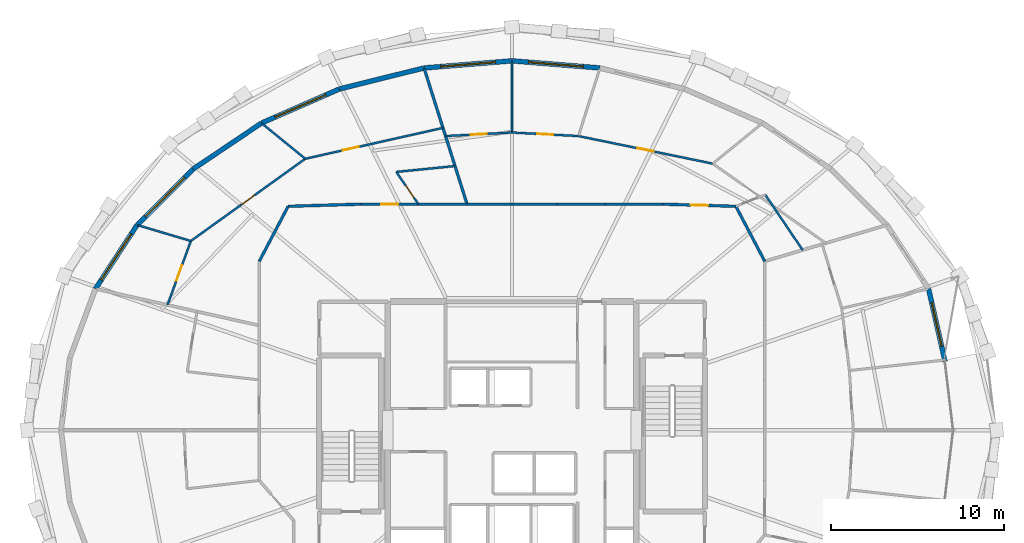
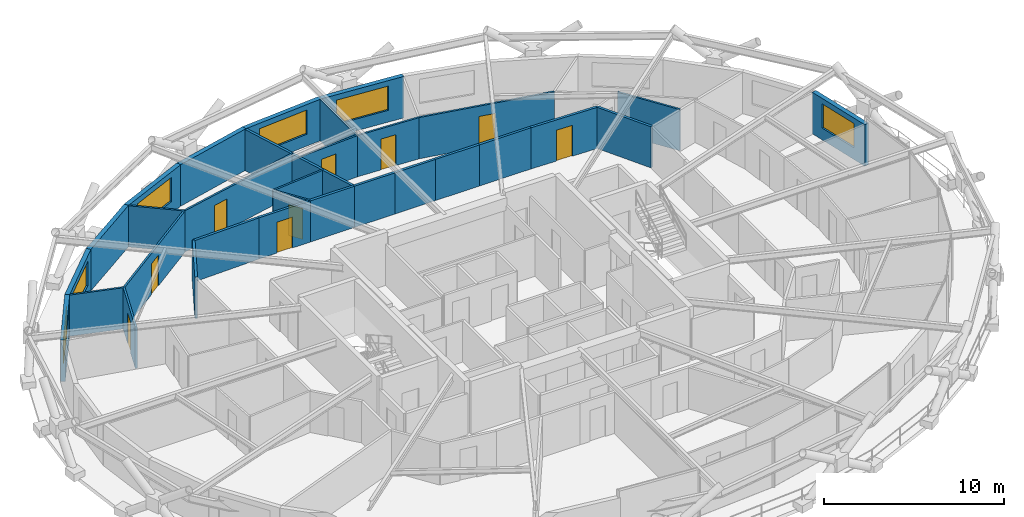
# One storey, part 17 of 19: 31 walls, 9 doors, 6 windows, 15 openings.
"""IFC4 building model written with IfcOpenShell, lengths in metres."""

from ifc_helpers import new_model, si_unit, direction, frame, frame_2d, origin, place, context, subcontext, project, spatial, rectangle, extrude, material, layer, layer_set, type_object, element, fill, save


model = new_model("IFC4")

# Units and contexts
model_context = context("Model", 3, precision=1e-05, world=origin(), true_north=direction((0.0, 1.0)))
body_context = subcontext(model_context, "Body", "Model", "MODEL_VIEW")
ifc_project = project(units=[si_unit("LENGTHUNIT", "METRE"), si_unit("AREAUNIT", "SQUARE_METRE"), si_unit("VOLUMEUNIT", "CUBIC_METRE"), si_unit("PLANEANGLEUNIT", "RADIAN"), si_unit("MASSUNIT", "GRAM", prefix="KILO")], contexts=[model_context])

# Site, building, storey
site_placement = place(None, origin())
site = spatial("IfcSite", under=ifc_project, at=site_placement, CompositionType="ELEMENT")
building_placement = place(site_placement, origin())
building = spatial("IfcBuilding", under=site, at=building_placement, Name="Veldorina Hangang Commons", CompositionType="ELEMENT")
storey_placement = place(building_placement, frame((0.0, 0.0, 167.60009765625)))
storey = spatial("IfcBuildingStorey", under=building, at=storey_placement, Name="L43", CompositionType="ELEMENT", Elevation=167.60009765625)

# Wall, opening, window
ifc_material_1 = material(Name="Stone Roman Travertine", Category="masonry")
ifc_layer_1 = layer(ifc_material_1, 0.280029296875)
ifc_layer_set_1 = layer_set([ifc_layer_1], Name="Stone Roman Travertine")
wall_type_1 = type_object("IfcWallType", Name="EW-TRAV-280", PredefinedType="STANDARD", material=ifc_layer_set_1)
wall_1_placement = place(storey_placement, frame((57.104248046875, 27.977294921875, 0.0), z_axis=(0.0, 0.0, 1.0), x_axis=(-0.221760260936, 0.975101218679, 0.0)))
wall_1 = element("IfcWall", 1, at=wall_1_placement, inside=storey, type_object=wall_type_1, Name="L43 travertine facade wall 01", PredefinedType="STANDARD", context=body_context, shape_type="SweptSolid", body=[
    extrude(rectangle(XDim=4.322265625, YDim=0.280029296875, at=frame_2d((2.1611328125, 0.0))), origin(), (0.0, 0.0, 1.0), 2.81982421875),
])
opening_1_placement = place(wall_1_placement, frame((0.9072265625, 0.0, 0.800048828125)))
opening_1 = element("IfcOpeningElement", 2, at=opening_1_placement, cuts=wall_1, Name="Opening W-02", PredefinedType="OPENING", context=body_context, shape_type="SweptSolid", body=[
    extrude(rectangle(XDim=2.60009765625, YDim=1.64990234375, at=frame_2d((1.300048828125, 0.824951171875))), frame((0.0, 0.14990234375, 0.0), z_axis=(0.0, -1.0, 0.0), x_axis=(1.0, 0.0, 0.0)), (0.0, 0.0, 1.0), 0.300048828125),
])
ifc_material_2 = material(Name="Glass Low-E Triple IGU", Category="glass")
window_type_1 = type_object("IfcWindowType", Name="WIN-TWR-2600", PartitioningType="SINGLE_PANEL", PredefinedType="WINDOW", material=ifc_material_2)
window_1_placement = place(opening_1_placement, origin())
window_1 = element("IfcWindow", 3, at=window_1_placement, inside=storey, type_object=window_type_1, Name="L43 facade window 01", OverallHeight=1.64990234375, OverallWidth=2.60009765625, PartitioningType="SINGLE_PANEL", PredefinedType="WINDOW", context=body_context, shape_type="SweptSolid", body=[
    extrude(rectangle(XDim=2.60009765625, YDim=1.64990234375, at=frame_2d((1.300048828125, 0.824951171875))), frame((0.0, 0.030029296875, 0.0), z_axis=(0.0, -1.0, 0.0), x_axis=(1.0, 0.0, 0.0)), (0.0, 0.0, 1.0), 0.06005859375),
])
fill(opening_1, window_1)

wall_2_placement = place(storey_placement, frame((37.0986328125, 44.995361328125, 0.0), z_axis=(0.0, 0.0, 1.0), x_axis=(-0.996760870248, 0.080422431831, 0.0)))
wall_2 = element("IfcWall", 4, at=wall_2_placement, inside=storey, type_object=wall_type_1, Name="L43 travertine facade wall 07", PredefinedType="STANDARD", context=body_context, shape_type="SweptSolid", body=[
    extrude(rectangle(XDim=5.115234375, YDim=0.280029296875, at=frame_2d((2.5576171875, 0.0))), origin(), (0.0, 0.0, 1.0), 2.81982421875),
])
opening_2_placement = place(wall_2_placement, frame((0.95751953125, 0.0, 0.800048828125)))
opening_2 = element("IfcOpeningElement", 5, at=opening_2_placement, cuts=wall_2, Name="Opening W-01", PredefinedType="OPENING", context=body_context, shape_type="SweptSolid", body=[
    extrude(rectangle(XDim=3.199951171875, YDim=1.64990234375, at=frame_2d((1.60009765625, 0.824951171875))), frame((0.0, 0.14990234375, 0.0), z_axis=(0.0, -1.0, 0.0), x_axis=(1.0, 0.0, 0.0)), (0.0, 0.0, 1.0), 0.300048828125),
])
window_type_2 = type_object("IfcWindowType", Name="WIN-TWR-3200", PartitioningType="SINGLE_PANEL", PredefinedType="WINDOW", material=ifc_material_2)
window_2_placement = place(opening_2_placement, origin())
window_2 = element("IfcWindow", 6, at=window_2_placement, inside=storey, type_object=window_type_2, Name="L43 facade window 07", OverallHeight=1.64990234375, OverallWidth=3.199951171875, PartitioningType="SINGLE_PANEL", PredefinedType="WINDOW", context=body_context, shape_type="SweptSolid", body=[
    extrude(rectangle(XDim=3.199951171875, YDim=1.64990234375, at=frame_2d((1.60009765625, 0.824951171875))), frame((0.0, 0.030029296875, 0.0), z_axis=(0.0, -1.0, 0.0), x_axis=(1.0, 0.0, 0.0)), (0.0, 0.0, 1.0), 0.06005859375),
])
fill(opening_2, window_2)

wall_3_placement = place(storey_placement, frame((32.0, 45.40673828125, 0.0), z_axis=(0.0, 0.0, 1.0), x_axis=(-0.996760870248, -0.080422431831, 0.0)))
wall_3 = element("IfcWall", 7, at=wall_3_placement, inside=storey, type_object=wall_type_1, Name="L43 travertine facade wall 08", PredefinedType="STANDARD", context=body_context, shape_type="SweptSolid", body=[
    extrude(rectangle(XDim=5.115234375, YDim=0.280029296875, at=frame_2d((2.5576171875, 0.0))), origin(), (0.0, 0.0, 1.0), 2.81982421875),
])
opening_3_placement = place(wall_3_placement, frame((0.95751953125, 0.0, 0.800048828125)))
opening_3 = element("IfcOpeningElement", 8, at=opening_3_placement, cuts=wall_3, Name="Opening W-01", PredefinedType="OPENING", context=body_context, shape_type="SweptSolid", body=[
    extrude(rectangle(XDim=3.199951171875, YDim=1.64990234375, at=frame_2d((1.60009765625, 0.824951171875))), frame((0.0, 0.14990234375, 0.0), z_axis=(0.0, -1.0, 0.0), x_axis=(1.0, 0.0, 0.0)), (0.0, 0.0, 1.0), 0.300048828125),
])
window_3_placement = place(opening_3_placement, origin())
window_3 = element("IfcWindow", 9, at=window_3_placement, inside=storey, type_object=window_type_2, Name="L43 facade window 08", OverallHeight=1.64990234375, OverallWidth=3.199951171875, PartitioningType="SINGLE_PANEL", PredefinedType="WINDOW", context=body_context, shape_type="SweptSolid", body=[
    extrude(rectangle(XDim=3.199951171875, YDim=1.64990234375, at=frame_2d((1.60009765625, 0.824951171875))), frame((0.0, 0.030029296875, 0.0), z_axis=(0.0, -1.0, 0.0), x_axis=(1.0, 0.0, 0.0)), (0.0, 0.0, 1.0), 0.06005859375),
])
fill(opening_3, window_3)

# Wall
wall_4_placement = place(storey_placement, frame((26.9013671875, 44.995361328125, 0.0), z_axis=(0.0, 0.0, 1.0), x_axis=(-0.970488320416, -0.241148128617, 0.0)))
element("IfcWall", 10, at=wall_4_placement, inside=storey, type_object=wall_type_1, Name="L43 travertine facade wall 09", PredefinedType="STANDARD", context=body_context, shape_type="SweptSolid", body=[
    extrude(rectangle(XDim=5.052001953125, YDim=0.280029296875, at=frame_2d((2.52587890625, 0.0))), origin(), (0.0, 0.0, 1.0), 2.81982421875),
])

# Wall, opening, window
wall_5_placement = place(storey_placement, frame((21.99853515625, 43.777099609375, 0.0), z_axis=(0.0, 0.0, 1.0), x_axis=(-0.916070979736, -0.401016159381, 0.0)))
wall_5 = element("IfcWall", 11, at=wall_5_placement, inside=storey, type_object=wall_type_1, Name="L43 travertine facade wall 10", PredefinedType="STANDARD", context=body_context, shape_type="SweptSolid", body=[
    extrude(rectangle(XDim=4.9326171875, YDim=0.280029296875, at=frame_2d((2.46630859375, 0.0))), origin(), (0.0, 0.0, 1.0), 2.81982421875),
])
opening_4_placement = place(wall_5_placement, frame((0.8662109375, 0.0, 0.800048828125)))
opening_4 = element("IfcOpeningElement", 12, at=opening_4_placement, cuts=wall_5, Name="Opening W-01", PredefinedType="OPENING", context=body_context, shape_type="SweptSolid", body=[
    extrude(rectangle(XDim=3.199951171875, YDim=1.64990234375, at=frame_2d((1.60009765625, 0.824951171875))), frame((0.0, 0.14990234375, 0.0), z_axis=(0.0, -1.0, 0.0), x_axis=(1.0, 0.0, 0.0)), (0.0, 0.0, 1.0), 0.300048828125),
])
window_4_placement = place(opening_4_placement, origin())
window_4 = element("IfcWindow", 13, at=window_4_placement, inside=storey, type_object=window_type_2, Name="L43 facade window 10", OverallHeight=1.64990234375, OverallWidth=3.199951171875, PartitioningType="SINGLE_PANEL", PredefinedType="WINDOW", context=body_context, shape_type="SweptSolid", body=[
    extrude(rectangle(XDim=3.199951171875, YDim=1.64990234375, at=frame_2d((1.60009765625, 0.824951171875))), frame((0.0, 0.030029296875, 0.0), z_axis=(0.0, -1.0, 0.0), x_axis=(1.0, 0.0, 0.0)), (0.0, 0.0, 1.0), 0.06005859375),
])
fill(opening_4, window_4)

# Wall
wall_6_placement = place(storey_placement, frame((17.47998046875, 41.799072265625, 0.0), z_axis=(0.0, 0.0, 1.0), x_axis=(-0.829911180813, -0.557895538575, 0.0)))
element("IfcWall", 14, at=wall_6_placement, inside=storey, type_object=wall_type_1, Name="L43 travertine facade wall 11", PredefinedType="STANDARD", context=body_context, shape_type="SweptSolid", body=[
    extrude(rectangle(XDim=4.772216796875, YDim=0.280029296875, at=frame_2d((2.38623046875, 0.0))), origin(), (0.0, 0.0, 1.0), 2.81982421875),
])

# Wall, opening, window
wall_7_placement = place(storey_placement, frame((13.51953125, 39.13671875, 0.0), z_axis=(0.0, 0.0, 1.0), x_axis=(-0.707797600077, -0.706415286729, 0.0)))
wall_7 = element("IfcWall", 15, at=wall_7_placement, inside=storey, type_object=wall_type_1, Name="L43 travertine facade wall 12", PredefinedType="STANDARD", context=body_context, shape_type="SweptSolid", body=[
    extrude(rectangle(XDim=4.592041015625, YDim=0.280029296875, at=frame_2d((2.2958984375, 0.0))), origin(), (0.0, 0.0, 1.0), 2.81982421875),
])
opening_5_placement = place(wall_7_placement, frame((0.696044921875, 0.0, 0.800048828125)))
opening_5 = element("IfcOpeningElement", 16, at=opening_5_placement, cuts=wall_7, Name="Opening W-01", PredefinedType="OPENING", context=body_context, shape_type="SweptSolid", body=[
    extrude(rectangle(XDim=3.199951171875, YDim=1.64990234375, at=frame_2d((1.60009765625, 0.824951171875))), frame((0.0, 0.14990234375, 0.0), z_axis=(0.0, -1.0, 0.0), x_axis=(1.0, 0.0, 0.0)), (0.0, 0.0, 1.0), 0.300048828125),
])
window_5_placement = place(opening_5_placement, origin())
window_5 = element("IfcWindow", 17, at=window_5_placement, inside=storey, type_object=window_type_2, Name="L43 facade window 12", OverallHeight=1.64990234375, OverallWidth=3.199951171875, PartitioningType="SINGLE_PANEL", PredefinedType="WINDOW", context=body_context, shape_type="SweptSolid", body=[
    extrude(rectangle(XDim=3.199951171875, YDim=1.64990234375, at=frame_2d((1.60009765625, 0.824951171875))), frame((0.0, 0.030029296875, 0.0), z_axis=(0.0, -1.0, 0.0), x_axis=(1.0, 0.0, 0.0)), (0.0, 0.0, 1.0), 0.06005859375),
])
fill(opening_5, window_5)

wall_8_placement = place(storey_placement, frame((10.269287109375, 35.892822265625, 0.0), z_axis=(0.0, 0.0, 1.0), x_axis=(-0.546488523779, -0.837466592395, 0.0)))
wall_8 = element("IfcWall", 18, at=wall_8_placement, inside=storey, type_object=wall_type_1, Name="L43 travertine facade wall 13", PredefinedType="STANDARD", context=body_context, shape_type="SweptSolid", body=[
    extrude(rectangle(XDim=4.419189453125, YDim=0.280029296875, at=frame_2d((2.20947265625, 0.0))), origin(), (0.0, 0.0, 1.0), 2.81982421875),
])
opening_6_placement = place(wall_8_placement, frame((0.609619140625, 0.0, 0.800048828125)))
opening_6 = element("IfcOpeningElement", 19, at=opening_6_placement, cuts=wall_8, Name="Opening W-01", PredefinedType="OPENING", context=body_context, shape_type="SweptSolid", body=[
    extrude(rectangle(XDim=3.199951171875, YDim=1.64990234375, at=frame_2d((1.60009765625, 0.824951171875))), frame((0.0, 0.14990234375, 0.0), z_axis=(0.0, -1.0, 0.0), x_axis=(1.0, 0.0, 0.0)), (0.0, 0.0, 1.0), 0.300048828125),
])
window_6_placement = place(opening_6_placement, origin())
window_6 = element("IfcWindow", 20, at=window_6_placement, inside=storey, type_object=window_type_2, Name="L43 facade window 13", OverallHeight=1.64990234375, OverallWidth=3.199951171875, PartitioningType="SINGLE_PANEL", PredefinedType="WINDOW", context=body_context, shape_type="SweptSolid", body=[
    extrude(rectangle(XDim=3.199951171875, YDim=1.64990234375, at=frame_2d((1.60009765625, 0.824951171875))), frame((0.0, 0.030029296875, 0.0), z_axis=(0.0, -1.0, 0.0), x_axis=(1.0, 0.0, 0.0)), (0.0, 0.0, 1.0), 0.06005859375),
])
fill(opening_6, window_6)

# Wall
ifc_material_3 = material(Name="Gypsum Fire-Rated Twin Stud Wall", Category="gypsum")
ifc_layer_2 = layer(ifc_material_3, 0.159912109375)
ifc_layer_set_2 = layer_set([ifc_layer_2], Name="Gypsum Fire-Rated Twin Stud Wall")
wall_type_2 = type_object("IfcWallType", Name="WL-FIRE-160", PredefinedType="SOLIDWALL", material=ifc_layer_set_2)
wall_9_placement = place(storey_placement, frame((46.64990234375, 33.788818359375, 0.0), z_axis=(0.0, 0.0, 1.0), x_axis=(-0.46527115782, 0.885168204185, 0.0)))
element("IfcWall", 21, at=wall_9_placement, inside=storey, type_object=wall_type_2, Name="L43 U-corridor outer wall 03 047", PredefinedType="SOLIDWALL", context=body_context, shape_type="SweptSolid", body=[
    extrude(rectangle(XDim=3.599609375, YDim=0.159912109375, at=frame_2d((1.7998046875, 0.0))), origin(), (0.0, 0.0, 1.0), 2.7998046875),
])

# Wall, opening, door
wall_10_placement = place(storey_placement, frame((44.97509765625, 36.97509765625, 0.0), z_axis=(0.0, 0.0, 1.0), x_axis=(-0.999561990195, 0.029594387265, 0.0)))
wall_10 = element("IfcWall", 22, at=wall_10_placement, inside=storey, type_object=wall_type_2, Name="L43 U-corridor outer wall 04 048", PredefinedType="SOLIDWALL", context=body_context, shape_type="SweptSolid", body=[
    extrude(rectangle(XDim=4.223876953125, YDim=0.159912109375, at=frame_2d((2.11181640625, 0.0))), origin(), (0.0, 0.0, 1.0), 2.7998046875),
])
opening_7_placement = place(wall_10_placement, frame((1.61181640625, 0.0, 0.0)))
opening_7 = element("IfcOpeningElement", 23, at=opening_7_placement, cuts=wall_10, Name="Opening D-06", PredefinedType="OPENING", context=body_context, shape_type="SweptSolid", body=[
    extrude(rectangle(XDim=1.0, YDim=2.10009765625, at=frame_2d((0.5, 1.050048828125))), frame((0.0, 0.08984375, 0.0), z_axis=(0.0, -1.0, 0.0), x_axis=(1.0, 0.0, 0.0)), (0.0, 0.0, 1.0), 0.179931640625),
])
ifc_material_4 = material(Name="Timber Fire-Rated Entrance Core", Category="wood")
door_type_1 = type_object("IfcDoorType", Name="DR-UNIT-1000", OperationType="SINGLE_SWING_LEFT", PredefinedType="DOOR", material=ifc_material_4)
door_1_placement = place(opening_7_placement, origin())
door_1 = element("IfcDoor", 24, at=door_1_placement, inside=storey, type_object=door_type_1, Name="L43 Cluster 3 entrance door 027", OperationType="SINGLE_SWING_LEFT", OverallHeight=2.10009765625, OverallWidth=1.0, PredefinedType="DOOR", context=body_context, shape_type="SweptSolid", body=[
    extrude(rectangle(XDim=1.0, YDim=2.10009765625, at=frame_2d((0.5, 1.050048828125))), frame((0.0, 0.02490234375, 0.0), z_axis=(0.0, -1.0, 0.0), x_axis=(1.0, 0.0, 0.0)), (0.0, 0.0, 1.0), 0.050048828125),
])
fill(opening_7, door_1)

# Walls
wall_11_placement = place(storey_placement, frame((40.753173828125, 37.10009765625, 0.0), z_axis=(0.0, 0.0, 1.0), x_axis=(-1.0, 0.0, 0.0)))
element("IfcWall", 25, at=wall_11_placement, inside=storey, type_object=wall_type_2, Name="L43 U-corridor outer wall 05 049", PredefinedType="SOLIDWALL", context=body_context, shape_type="SweptSolid", body=[
    extrude(rectangle(XDim=3.326904296875, YDim=0.159912109375, at=frame_2d((1.66357421875, 0.0))), origin(), (0.0, 0.0, 1.0), 2.7998046875),
])
wall_12_placement = place(storey_placement, frame((37.42626953125, 37.10009765625, 0.0), z_axis=(0.0, 0.0, 1.0), x_axis=(-1.0, 0.0, 0.0)))
element("IfcWall", 26, at=wall_12_placement, inside=storey, type_object=wall_type_2, Name="L43 U-corridor outer wall 06 050", PredefinedType="SOLIDWALL", context=body_context, shape_type="SweptSolid", body=[
    extrude(rectangle(XDim=2.820556640625, YDim=0.159912109375, at=frame_2d((1.41015625, 0.0))), origin(), (0.0, 0.0, 1.0), 2.7998046875),
])
for number, where, z_axis, x_axis, name in (
    (27, (34.605712890625, 37.10009765625, 0.0), (0.0, 0.0, 1.0), (-1.0, 0.0, 0.0), "L43 U-corridor outer wall 07 051"),
    (28, (32.0, 37.10009765625, 0.0), (0.0, 0.0, 1.0), (-1.0, 0.0, 0.0), "L43 U-corridor outer wall 08 052"),
):
    element("IfcWall", number, at=place(storey_placement, frame(where, z_axis=z_axis, x_axis=x_axis)), inside=storey, type_object=wall_type_2, Name=name, PredefinedType="SOLIDWALL", context=body_context, shape_type="SweptSolid", body=[
        extrude(rectangle(XDim=2.605712890625, YDim=0.159912109375, at=frame_2d((1.302734375, 0.0))), origin(), (0.0, 0.0, 1.0), 2.7998046875),
    ])
wall_13_placement = place(storey_placement, frame((29.394287109375, 37.10009765625, 0.0), z_axis=(0.0, 0.0, 1.0), x_axis=(-1.0, 0.0, 0.0)))
element("IfcWall", 29, at=wall_13_placement, inside=storey, type_object=wall_type_2, Name="L43 U-corridor outer wall 09 053", PredefinedType="SOLIDWALL", context=body_context, shape_type="SweptSolid", body=[
    extrude(rectangle(XDim=2.820556640625, YDim=0.159912109375, at=frame_2d((1.41015625, 0.0))), origin(), (0.0, 0.0, 1.0), 2.7998046875),
])

# Wall, opening, door
wall_14_placement = place(storey_placement, frame((26.57373046875, 37.10009765625, 0.0), z_axis=(0.0, 0.0, 1.0), x_axis=(-1.0, 0.0, 0.0)))
wall_14 = element("IfcWall", 30, at=wall_14_placement, inside=storey, type_object=wall_type_2, Name="L43 U-corridor outer wall 10 054", PredefinedType="SOLIDWALL", context=body_context, shape_type="SweptSolid", body=[
    extrude(rectangle(XDim=3.326904296875, YDim=0.159912109375, at=frame_2d((1.66357421875, 0.0))), origin(), (0.0, 0.0, 1.0), 2.7998046875),
])
opening_8_placement = place(wall_14_placement, frame((1.16357421875, 0.0, 0.0)))
opening_8 = element("IfcOpeningElement", 31, at=opening_8_placement, cuts=wall_14, Name="Opening D-06", PredefinedType="OPENING", context=body_context, shape_type="SweptSolid", body=[
    extrude(rectangle(XDim=1.0, YDim=2.10009765625, at=frame_2d((0.5, 1.050048828125))), frame((0.0, 0.08984375, 0.0), z_axis=(0.0, -1.0, 0.0), x_axis=(1.0, 0.0, 0.0)), (0.0, 0.0, 1.0), 0.179931640625),
])
door_2_placement = place(opening_8_placement, origin())
door_2 = element("IfcDoor", 32, at=door_2_placement, inside=storey, type_object=door_type_1, Name="L43 Cluster 4 entrance door 033", OperationType="SINGLE_SWING_LEFT", OverallHeight=2.10009765625, OverallWidth=1.0, PredefinedType="DOOR", context=body_context, shape_type="SweptSolid", body=[
    extrude(rectangle(XDim=1.0, YDim=2.10009765625, at=frame_2d((0.5, 1.050048828125))), frame((0.0, 0.02490234375, 0.0), z_axis=(0.0, -1.0, 0.0), x_axis=(1.0, 0.0, 0.0)), (0.0, 0.0, 1.0), 0.050048828125),
])
fill(opening_8, door_2)

# Walls
wall_15_placement = place(storey_placement, frame((23.246826171875, 37.10009765625, 0.0), z_axis=(0.0, 0.0, 1.0), x_axis=(-0.999561990195, -0.029594387265, 0.0)))
element("IfcWall", 33, at=wall_15_placement, inside=storey, type_object=wall_type_2, Name="L43 U-corridor outer wall 11 055", PredefinedType="SOLIDWALL", context=body_context, shape_type="SweptSolid", body=[
    extrude(rectangle(XDim=4.223876953125, YDim=0.159912109375, at=frame_2d((2.11181640625, 0.0))), origin(), (0.0, 0.0, 1.0), 2.7998046875),
])
wall_16_placement = place(storey_placement, frame((19.02490234375, 36.97509765625, 0.0), z_axis=(0.0, 0.0, 1.0), x_axis=(-0.46527115782, -0.885168204185, 0.0)))
element("IfcWall", 34, at=wall_16_placement, inside=storey, type_object=wall_type_2, Name="L43 U-corridor outer wall 12 056", PredefinedType="SOLIDWALL", context=body_context, shape_type="SweptSolid", body=[
    extrude(rectangle(XDim=3.599609375, YDim=0.159912109375, at=frame_2d((1.7998046875, 0.0))), origin(), (0.0, 0.0, 1.0), 2.7998046875),
])
wall_17_placement = place(storey_placement, frame((29.394287109375, 37.10009765625, 0.0), z_axis=(0.0, 0.0, 1.0), x_axis=(-0.301084514056, 0.953597459831, 0.0)))
element("IfcWall", 35, at=wall_17_placement, inside=storey, type_object=wall_type_2, Name="L43 Unit party wall 09 104", PredefinedType="SOLIDWALL", context=body_context, shape_type="SweptSolid", body=[
    extrude(rectangle(XDim=8.2294921875, YDim=0.159912109375, at=frame_2d((4.11474609375, 0.0))), origin(), (0.0, 0.0, 1.0), 2.7998046875),
])
ifc_material_5 = material(Name="Gypsum Acoustic Stud Partition", Category="gypsum")
ifc_layer_3 = layer(ifc_material_5, 0.1201171875)
ifc_layer_set_3 = layer_set([ifc_layer_3], Name="Gypsum Acoustic Stud Partition")
wall_type_3 = type_object("IfcWallType", Name="WL-PART-120", PredefinedType="PARTITIONING", material=ifc_layer_set_3)
wall_18_placement = place(storey_placement, frame((48.844970703125, 34.441162109375, 0.0), z_axis=(0.0, 0.0, 1.0), x_axis=(-0.559572632914, 0.828781315242, 0.0)))
element("IfcWall", 36, at=wall_18_placement, inside=storey, type_object=wall_type_3, Name="L43 Cluster 3 bath front wall 095", PredefinedType="PARTITIONING", context=body_context, shape_type="SweptSolid", body=[
    extrude(rectangle(XDim=3.865966796875, YDim=0.1201171875, at=frame_2d((1.93310546875, 0.0))), origin(), (0.0, 0.0, 1.0), 2.7998046875),
])

# Wall, opening, door
wall_19_placement = place(storey_placement, frame((43.636474609375, 39.449462890625, 0.0), z_axis=(0.0, 0.0, 1.0), x_axis=(-0.979568261135, 0.201111963285, 0.0)))
wall_19 = element("IfcWall", 37, at=wall_19_placement, inside=storey, type_object=wall_type_3, Name="L43 Cluster 3 bed 2 front wall 098", PredefinedType="PARTITIONING", context=body_context, shape_type="SweptSolid", body=[
    extrude(rectangle(XDim=7.946533203125, YDim=0.1201171875, at=frame_2d((3.97314453125, 0.0))), origin(), (0.0, 0.0, 1.0), 2.7998046875),
])
opening_9_placement = place(wall_19_placement, frame((3.498291015625, 0.0, 0.0)))
opening_9 = element("IfcOpeningElement", 38, at=opening_9_placement, cuts=wall_19, Name="Opening D-02", PredefinedType="OPENING", context=body_context, shape_type="SweptSolid", body=[
    extrude(rectangle(XDim=0.949951171875, YDim=2.10009765625, at=frame_2d((0.47509765625, 1.050048828125))), frame((0.0, 0.070068359375, 0.0), z_axis=(0.0, -1.0, 0.0), x_axis=(1.0, 0.0, 0.0)), (0.0, 0.0, 1.0), 0.14013671875),
])
ifc_material_6 = material(Name="Timber Solid Core Acoustic", Category="wood")
door_type_2 = type_object("IfcDoorType", Name="DR-INT-950", OperationType="SINGLE_SWING_LEFT", PredefinedType="DOOR", material=ifc_material_6)
door_3_placement = place(opening_9_placement, origin())
door_3 = element("IfcDoor", 39, at=door_3_placement, inside=storey, type_object=door_type_2, Name="L43 Cluster 3 bed 2 door 029", OperationType="SINGLE_SWING_LEFT", OverallHeight=2.10009765625, OverallWidth=0.949951171875, PredefinedType="DOOR", context=body_context, shape_type="SweptSolid", body=[
    extrude(rectangle(XDim=0.949951171875, YDim=2.10009765625, at=frame_2d((0.47509765625, 1.050048828125))), frame((0.0, 0.02490234375, 0.0), z_axis=(0.0, -1.0, 0.0), x_axis=(1.0, 0.0, 0.0)), (0.0, 0.0, 1.0), 0.050048828125),
])
fill(opening_9, door_3)

wall_20_placement = place(storey_placement, frame((35.852294921875, 41.047607421875, 0.0), z_axis=(0.0, 0.0, 1.0), x_axis=(-0.998575909079, 0.053349356192, 0.0)))
wall_20 = element("IfcWall", 40, at=wall_20_placement, inside=storey, type_object=wall_type_3, Name="L43 Cluster 3 bed 3 front wall 100", PredefinedType="PARTITIONING", context=body_context, shape_type="SweptSolid", body=[
    extrude(rectangle(XDim=3.85791015625, YDim=0.1201171875, at=frame_2d((1.928955078125, 0.0))), origin(), (0.0, 0.0, 1.0), 2.7998046875),
])
opening_10_placement = place(wall_20_placement, frame((1.453857421875, 0.0, 0.0)))
opening_10 = element("IfcOpeningElement", 41, at=opening_10_placement, cuts=wall_20, Name="Opening D-02", PredefinedType="OPENING", context=body_context, shape_type="SweptSolid", body=[
    extrude(rectangle(XDim=0.949951171875, YDim=2.10009765625, at=frame_2d((0.47509765625, 1.050048828125))), frame((0.0, 0.070068359375, 0.0), z_axis=(0.0, -1.0, 0.0), x_axis=(1.0, 0.0, 0.0)), (0.0, 0.0, 1.0), 0.14013671875),
])
door_4_placement = place(opening_10_placement, origin())
door_4 = element("IfcDoor", 42, at=door_4_placement, inside=storey, type_object=door_type_2, Name="L43 Cluster 3 bed 3 door 030", OperationType="SINGLE_SWING_RIGHT", OverallHeight=2.10009765625, OverallWidth=0.949951171875, PredefinedType="DOOR", context=body_context, shape_type="SweptSolid", body=[
    extrude(rectangle(XDim=0.949951171875, YDim=2.10009765625, at=frame_2d((0.47509765625, 1.050048828125))), frame((0.0, 0.02490234375, 0.0), z_axis=(0.0, -1.0, 0.0), x_axis=(1.0, 0.0, 0.0)), (0.0, 0.0, 1.0), 0.050048828125),
])
fill(opening_10, door_4)

wall_21_placement = place(storey_placement, frame((32.0, 41.25341796875, 0.0), z_axis=(0.0, 0.0, 1.0), x_axis=(-0.998575909079, -0.053349356192, 0.0)))
wall_21 = element("IfcWall", 43, at=wall_21_placement, inside=storey, type_object=wall_type_3, Name="L43 Cluster 3 bed 4 front wall 102", PredefinedType="PARTITIONING", context=body_context, shape_type="SweptSolid", body=[
    extrude(rectangle(XDim=3.85791015625, YDim=0.1201171875, at=frame_2d((1.928955078125, 0.0))), origin(), (0.0, 0.0, 1.0), 2.7998046875),
])
opening_11_placement = place(wall_21_placement, frame((1.453857421875, 0.0, 0.0)))
opening_11 = element("IfcOpeningElement", 44, at=opening_11_placement, cuts=wall_21, Name="Opening D-02", PredefinedType="OPENING", context=body_context, shape_type="SweptSolid", body=[
    extrude(rectangle(XDim=0.949951171875, YDim=2.10009765625, at=frame_2d((0.47509765625, 1.050048828125))), frame((0.0, 0.070068359375, 0.0), z_axis=(0.0, -1.0, 0.0), x_axis=(1.0, 0.0, 0.0)), (0.0, 0.0, 1.0), 0.14013671875),
])
door_5_placement = place(opening_11_placement, origin())
door_5 = element("IfcDoor", 45, at=door_5_placement, inside=storey, type_object=door_type_2, Name="L43 Cluster 3 bed 4 door 031", OperationType="SINGLE_SWING_LEFT", OverallHeight=2.10009765625, OverallWidth=0.949951171875, PredefinedType="DOOR", context=body_context, shape_type="SweptSolid", body=[
    extrude(rectangle(XDim=0.949951171875, YDim=2.10009765625, at=frame_2d((0.47509765625, 1.050048828125))), frame((0.0, 0.02490234375, 0.0), z_axis=(0.0, -1.0, 0.0), x_axis=(1.0, 0.0, 0.0)), (0.0, 0.0, 1.0), 0.050048828125),
])
fill(opening_11, door_5)

# Walls
wall_22_placement = place(storey_placement, frame((32.0, 41.25341796875, 0.0), z_axis=(0.0, 0.0, 1.0), x_axis=(0.0, 1.0, 0.0)))
element("IfcWall", 46, at=wall_22_placement, inside=storey, type_object=wall_type_3, Name="L43 Cluster 3 bed divider 3 103", PredefinedType="PARTITIONING", context=body_context, shape_type="SweptSolid", body=[
    extrude(rectangle(XDim=4.103271484375, YDim=0.1201171875, at=frame_2d((2.0517578125, 0.0))), origin(), (0.0, 0.0, 1.0), 2.7998046875),
])
wall_23_placement = place(storey_placement, frame((28.6962890625, 39.310791015625, 0.0), z_axis=(0.0, 0.0, 1.0), x_axis=(-0.995009592211, -0.099779313529, 0.0)))
element("IfcWall", 47, at=wall_23_placement, inside=storey, type_object=wall_type_3, Name="L43 Cluster 4 bath front wall 105", PredefinedType="PARTITIONING", context=body_context, shape_type="SweptSolid", body=[
    extrude(rectangle(XDim=3.420654296875, YDim=0.1201171875, at=frame_2d((1.71044921875, 0.0))), origin(), (0.0, 0.0, 1.0), 2.7998046875),
])

# Wall, opening, door
wall_24_placement = place(storey_placement, frame((26.57373046875, 37.10009765625, 0.0), z_axis=(0.0, 0.0, 1.0), x_axis=(-0.565270811555, 0.824905394335, 0.0)))
wall_24 = element("IfcWall", 48, at=wall_24_placement, inside=storey, type_object=wall_type_3, Name="L43 Cluster 4 bath side wall 106", PredefinedType="PARTITIONING", context=body_context, shape_type="SweptSolid", body=[
    extrude(rectangle(XDim=2.26611328125, YDim=0.1201171875, at=frame_2d((1.133056640625, 0.0))), origin(), (0.0, 0.0, 1.0), 2.7998046875),
])
opening_12_placement = place(wall_24_placement, frame((0.43994140625, 0.0, 0.0)))
opening_12 = element("IfcOpeningElement", 49, at=opening_12_placement, cuts=wall_24, Name="Opening D-01", PredefinedType="OPENING", context=body_context, shape_type="SweptSolid", body=[
    extrude(rectangle(XDim=0.860107421875, YDim=2.10009765625, at=frame_2d((0.43017578125, 1.050048828125))), frame((0.0, 0.070068359375, 0.0), z_axis=(0.0, -1.0, 0.0), x_axis=(1.0, 0.0, 0.0)), (0.0, 0.0, 1.0), 0.14013671875),
])
ifc_material_7 = material(Name="Timber Moisture-Resistant Core", Category="wood")
door_type_3 = type_object("IfcDoorType", Name="DR-WET-860", OperationType="SINGLE_SWING_LEFT", PredefinedType="DOOR", material=ifc_material_7)
door_6_placement = place(opening_12_placement, origin())
door_6 = element("IfcDoor", 50, at=door_6_placement, inside=storey, type_object=door_type_3, Name="L43 Cluster 4 shared bathroom door 032", OperationType="SINGLE_SWING_RIGHT", OverallHeight=2.10009765625, OverallWidth=0.860107421875, PredefinedType="DOOR", context=body_context, shape_type="SweptSolid", body=[
    extrude(rectangle(XDim=0.860107421875, YDim=2.10009765625, at=frame_2d((0.43017578125, 1.050048828125))), frame((0.0, 0.02490234375, 0.0), z_axis=(0.0, -1.0, 0.0), x_axis=(1.0, 0.0, 0.0)), (0.0, 0.0, 1.0), 0.050048828125),
])
fill(opening_12, door_6)

wall_25_placement = place(storey_placement, frame((27.998291015625, 41.521484375, 0.0), z_axis=(0.0, 0.0, 1.0), x_axis=(-0.975756725435, -0.218857973964, 0.0)))
wall_25 = element("IfcWall", 51, at=wall_25_placement, inside=storey, type_object=wall_type_3, Name="L43 Cluster 4 bed 1 front wall 107", PredefinedType="PARTITIONING", context=body_context, shape_type="SweptSolid", body=[
    extrude(rectangle(XDim=8.178955078125, YDim=0.1201171875, at=frame_2d((4.08935546875, 0.0))), origin(), (0.0, 0.0, 1.0), 2.7998046875),
])
opening_13_placement = place(wall_25_placement, frame((5.01123046875, 0.0, 0.0)))
opening_13 = element("IfcOpeningElement", 52, at=opening_13_placement, cuts=wall_25, Name="Opening D-02", PredefinedType="OPENING", context=body_context, shape_type="SweptSolid", body=[
    extrude(rectangle(XDim=0.949951171875, YDim=2.10009765625, at=frame_2d((0.47509765625, 1.050048828125))), frame((0.0, 0.070068359375, 0.0), z_axis=(0.0, -1.0, 0.0), x_axis=(1.0, 0.0, 0.0)), (0.0, 0.0, 1.0), 0.14013671875),
])
door_7_placement = place(opening_13_placement, origin())
door_7 = element("IfcDoor", 53, at=door_7_placement, inside=storey, type_object=door_type_2, Name="L43 Cluster 4 bed 1 door 034", OperationType="SINGLE_SWING_RIGHT", OverallHeight=2.10009765625, OverallWidth=0.949951171875, PredefinedType="DOOR", context=body_context, shape_type="SweptSolid", body=[
    extrude(rectangle(XDim=0.949951171875, YDim=2.10009765625, at=frame_2d((0.47509765625, 1.050048828125))), frame((0.0, 0.02490234375, 0.0), z_axis=(0.0, -1.0, 0.0), x_axis=(1.0, 0.0, 0.0)), (0.0, 0.0, 1.0), 0.050048828125),
])
fill(opening_13, door_7)

wall_26_placement = place(storey_placement, frame((20.017578125, 39.7314453125, 0.0), z_axis=(0.0, 0.0, 1.0), x_axis=(-0.812175175791, -0.583413647277, 0.0)))
wall_26 = element("IfcWall", 54, at=wall_26_placement, inside=storey, type_object=wall_type_3, Name="L43 Cluster 4 bed 2 front wall 108", PredefinedType="PARTITIONING", context=body_context, shape_type="SweptSolid", body=[
    extrude(rectangle(XDim=8.16650390625, YDim=0.1201171875, at=frame_2d((4.083251953125, 0.0))), origin(), (0.0, 0.0, 1.0), 2.7998046875),
])
opening_14_placement = place(wall_26_placement, frame((3.608154296875, 0.0, 0.0)))
opening_14 = element("IfcOpeningElement", 55, at=opening_14_placement, cuts=wall_26, Name="Opening D-02", PredefinedType="OPENING", context=body_context, shape_type="SweptSolid", body=[
    extrude(rectangle(XDim=0.949951171875, YDim=2.10009765625, at=frame_2d((0.47509765625, 1.050048828125))), frame((0.0, 0.070068359375, 0.0), z_axis=(0.0, -1.0, 0.0), x_axis=(1.0, 0.0, 0.0)), (0.0, 0.0, 1.0), 0.14013671875),
])
door_8_placement = place(opening_14_placement, origin())
door_8 = element("IfcDoor", 56, at=door_8_placement, inside=storey, type_object=door_type_2, Name="L43 Cluster 4 bed 2 door 035", OperationType="SINGLE_SWING_LEFT", OverallHeight=2.10009765625, OverallWidth=0.949951171875, PredefinedType="DOOR", context=body_context, shape_type="SweptSolid", body=[
    extrude(rectangle(XDim=0.949951171875, YDim=2.10009765625, at=frame_2d((0.47509765625, 1.050048828125))), frame((0.0, 0.02490234375, 0.0), z_axis=(0.0, -1.0, 0.0), x_axis=(1.0, 0.0, 0.0)), (0.0, 0.0, 1.0), 0.050048828125),
])
fill(opening_14, door_8)

# Wall
wall_27_placement = place(storey_placement, frame((20.017578125, 39.7314453125, 0.0), z_axis=(0.0, 0.0, 1.0), x_axis=(-0.775258339424, 0.631644288467, 0.0)))
element("IfcWall", 57, at=wall_27_placement, inside=storey, type_object=wall_type_3, Name="L43 Cluster 4 bed divider 1 109", PredefinedType="PARTITIONING", context=body_context, shape_type="SweptSolid", body=[
    extrude(rectangle(XDim=3.22314453125, YDim=0.1201171875, at=frame_2d((1.611572265625, 0.0))), origin(), (0.0, 0.0, 1.0), 2.7998046875),
])

# Wall, opening, door
wall_28_placement = place(storey_placement, frame((13.385009765625, 34.967041015625, 0.0), z_axis=(0.0, 0.0, 1.0), x_axis=(-0.34255715009, -0.939496992503, 0.0)))
wall_28 = element("IfcWall", 58, at=wall_28_placement, inside=storey, type_object=wall_type_3, Name="L43 Cluster 4 bed 3 front wall 110", PredefinedType="PARTITIONING", context=body_context, shape_type="SweptSolid", body=[
    extrude(rectangle(XDim=3.9482421875, YDim=0.1201171875, at=frame_2d((1.97412109375, 0.0))), origin(), (0.0, 0.0, 1.0), 2.7998046875),
])
opening_15_placement = place(wall_28_placement, frame((1.499267578125, 0.0, 0.0)))
opening_15 = element("IfcOpeningElement", 59, at=opening_15_placement, cuts=wall_28, Name="Opening D-02", PredefinedType="OPENING", context=body_context, shape_type="SweptSolid", body=[
    extrude(rectangle(XDim=0.949951171875, YDim=2.10009765625, at=frame_2d((0.47509765625, 1.050048828125))), frame((0.0, 0.070068359375, 0.0), z_axis=(0.0, -1.0, 0.0), x_axis=(1.0, 0.0, 0.0)), (0.0, 0.0, 1.0), 0.14013671875),
])
door_9_placement = place(opening_15_placement, origin())
door_9 = element("IfcDoor", 60, at=door_9_placement, inside=storey, type_object=door_type_2, Name="L43 Cluster 4 bed 3 door 036", OperationType="SINGLE_SWING_RIGHT", OverallHeight=2.10009765625, OverallWidth=0.949951171875, PredefinedType="DOOR", context=body_context, shape_type="SweptSolid", body=[
    extrude(rectangle(XDim=0.949951171875, YDim=2.10009765625, at=frame_2d((0.47509765625, 1.050048828125))), frame((0.0, 0.02490234375, 0.0), z_axis=(0.0, -1.0, 0.0), x_axis=(1.0, 0.0, 0.0)), (0.0, 0.0, 1.0), 0.050048828125),
])
fill(opening_15, door_9)

# Wall
wall_29_placement = place(storey_placement, frame((13.385009765625, 34.967041015625, 0.0), z_axis=(0.0, 0.0, 1.0), x_axis=(-0.958568452923, 0.284862284378, 0.0)))
element("IfcWall", 61, at=wall_29_placement, inside=storey, type_object=wall_type_3, Name="L43 Cluster 4 bed divider 2 111", PredefinedType="PARTITIONING", context=body_context, shape_type="SweptSolid", body=[
    extrude(rectangle(XDim=3.2001953125, YDim=0.1201171875, at=frame_2d((1.60009765625, 0.0))), origin(), (0.0, 0.0, 1.0), 2.7998046875),
])

save(model, "model.ifc")
